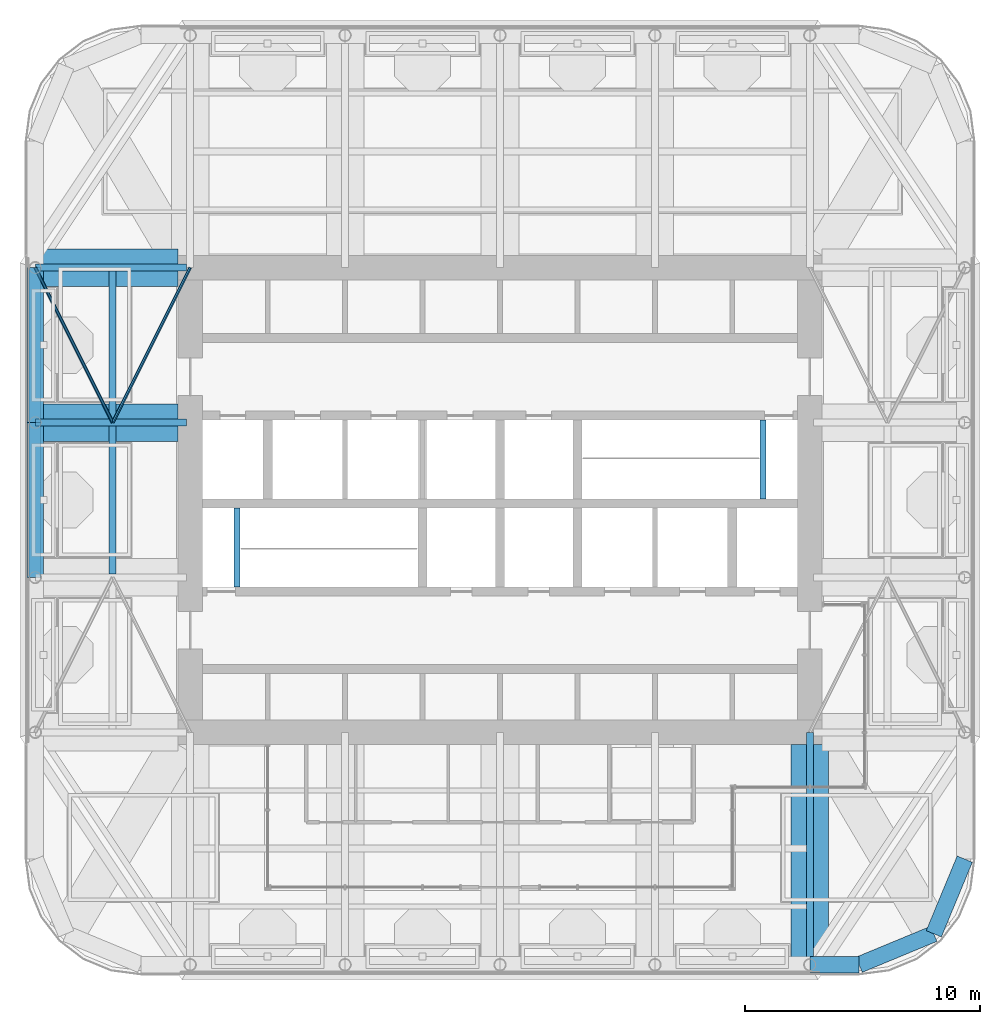
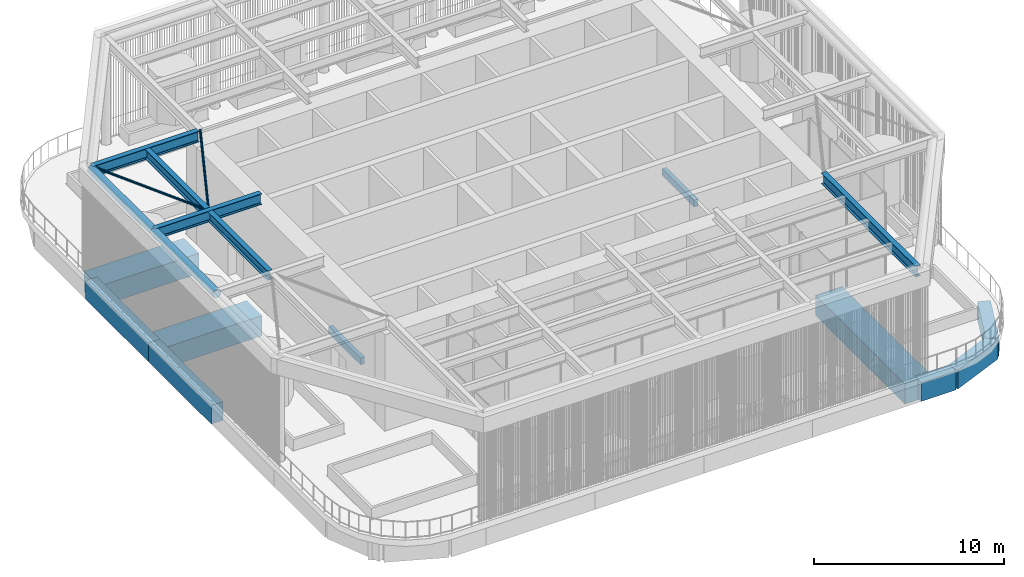
# One storey, part 3 of 22: 17 beams, 2 members.
"""IFC4 building model written with IfcOpenShell, lengths in metres."""

from ifc_helpers import new_model, si_unit, direction, frame, origin, origin_2d, place, context, subcontext, project, spatial, rectangle, hollow_circle, i_section, extrude, material, material_profile, profile_set, type_object, element, save


model = new_model("IFC4")

# Units and contexts
model_context = context("Model", 3, precision=1e-05, world=origin(), true_north=direction((0.0, 1.0)))
body_context = subcontext(model_context, "Body", "Model", "MODEL_VIEW")
ifc_project = project(units=[si_unit("LENGTHUNIT", "METRE"), si_unit("AREAUNIT", "SQUARE_METRE"), si_unit("VOLUMEUNIT", "CUBIC_METRE"), si_unit("PLANEANGLEUNIT", "RADIAN"), si_unit("MASSUNIT", "GRAM", prefix="KILO")], contexts=[model_context])

# Site, building, storey
site_placement = place(None, origin())
site = spatial("IfcSite", under=ifc_project, at=site_placement, CompositionType="ELEMENT")
building_placement = place(site_placement, origin())
building = spatial("IfcBuilding", under=site, at=building_placement, Name="Cobogo Forest Laboratory Tower", CompositionType="ELEMENT")
storey_placement = place(building_placement, frame((0.0, 0.0, 292.800048828125)))
storey = spatial("IfcBuildingStorey", under=building, at=storey_placement, Name="RF", CompositionType="ELEMENT", Elevation=292.800048828125)

# Beams
ifc_material_1 = material(Name="Steel S355", Category="steel")
ifc_material_profile_1 = material_profile(ifc_material_1, i_section(OverallWidth=0.300048828125, OverallDepth=0.699951171875, WebThickness=0.01708984375, FlangeThickness=0.031982421875, FilletRadius=0.027099609375, at=origin_2d()), Name="HEB 700")
ifc_profile_set_1 = profile_set([ifc_material_profile_1], Name="Steel S355")
beam_type_1 = type_object("IfcBeamType", Name="Crown frame girder HEB 700", PredefinedType="BEAM", material=ifc_profile_set_1)
beam_1_placement = place(storey_placement, frame((39.60009765625, 3.300048828125, 6.550048828125), z_axis=(0.0, 1.0, 0.0), x_axis=(-1.0, 0.0, 0.0)))
element("IfcBeam", 1, at=beam_1_placement, inside=storey, type_object=beam_type_1, Name="SG1 7-1", PredefinedType="BEAM", context=body_context, shape_type="SweptSolid", body=[
    extrude(i_section(OverallWidth=0.300048828125, OverallDepth=0.699951171875, WebThickness=0.01708984375, FlangeThickness=0.031982421875, FilletRadius=0.027099609375, at=origin_2d()), origin(), (0.0, 0.0, 1.0), 9.89990234375),
])
for number, where, z_axis, x_axis, name in (
    (2, (6.60009765625, 26.39990234375, 6.550048828125), (1.0, 0.0, 0.0), (0.0, 1.0, 0.0), "SG1 E-W"),
    (3, (6.60009765625, 33.0, 6.550048828125), (1.0, 0.0, 0.0), (0.0, 1.0, 0.0), "SG1 F-W"),
):
    element("IfcBeam", number, at=place(storey_placement, frame(where, z_axis=z_axis, x_axis=x_axis)), inside=storey, type_object=beam_type_1, Name=name, PredefinedType="BEAM", context=body_context, shape_type="SweptSolid", body=[
        extrude(i_section(OverallWidth=0.300048828125, OverallDepth=0.699951171875, WebThickness=0.01708984375, FlangeThickness=0.031982421875, FilletRadius=0.027099609375, at=origin_2d()), origin(), (0.0, 0.0, 1.0), 6.449951171875),
    ])

# Members
ifc_material_profile_2 = material_profile(ifc_material_1, hollow_circle(Radius=0.06982421875, WallThickness=0.00634765625, at=origin_2d()), Name="CHS 139.7x6.3")
ifc_profile_set_2 = profile_set([ifc_material_profile_2], Name="Steel S355")
member_type = type_object("IfcMemberType", Name="Crown frame plan brace CHS 139.7x6.3", PredefinedType="BRACE", material=ifc_profile_set_2)
member_1_placement = place(storey_placement, frame((6.60009765625, 33.0, 6.830078125), z_axis=(0.447187126696, -0.894440424912, 0.0), x_axis=(0.894440424912, 0.447187126696, 0.0)))
element("IfcMember", 4, at=member_1_placement, inside=storey, type_object=member_type, Name="SX1 canopy brace W2-1", PredefinedType="BRACE", context=body_context, shape_type="SweptSolid", body=[
    extrude(hollow_circle(Radius=0.06982421875, WallThickness=0.00634765625, at=origin_2d()), origin(), (0.0, 0.0, 1.0), 7.37890625),
])
member_2_placement = place(storey_placement, frame((13.199951171875, 33.0, 6.830078125), z_axis=(-0.4472135955, -0.894427191, 0.0), x_axis=(0.894427191, -0.4472135955, 0.0)))
element("IfcMember", 5, at=member_2_placement, inside=storey, type_object=member_type, Name="SX1 canopy brace W2-2", PredefinedType="BRACE", context=body_context, shape_type="SweptSolid", body=[
    extrude(hollow_circle(Radius=0.06982421875, WallThickness=0.00634765625, at=origin_2d()), origin(), (0.0, 0.0, 1.0), 7.379150390625),
])

# Beams
ifc_material_profile_3 = material_profile(ifc_material_1, i_section(OverallWidth=0.300048828125, OverallDepth=0.60009765625, WebThickness=0.015380859375, FlangeThickness=0.030029296875, FilletRadius=0.027099609375, at=origin_2d()), Name="HEB 600")
ifc_profile_set_3 = profile_set([ifc_material_profile_3], Name="Steel S355")
beam_type_2 = type_object("IfcBeamType", Name="Crown frame purlin HEB 600", PredefinedType="BEAM", material=ifc_profile_set_3)
for number, where, z_axis, x_axis, name in (
    (6, (9.89990234375, 19.949951171875, 6.599853515625), (0.0, 1.0, 0.0), (-1.0, 0.0, 0.0), "SP1 W2"),
    (7, (9.89990234375, 26.550048828125, 6.599853515625), (0.0, 1.0, 0.0), (-1.0, 0.0, 0.0), "SP1 W3"),
):
    element("IfcBeam", number, at=place(storey_placement, frame(where, z_axis=z_axis, x_axis=x_axis)), inside=storey, type_object=beam_type_2, Name=name, PredefinedType="BEAM", context=body_context, shape_type="SweptSolid", body=[
        extrude(i_section(OverallWidth=0.300048828125, OverallDepth=0.60009765625, WebThickness=0.015380859375, FlangeThickness=0.030029296875, FilletRadius=0.027099609375, at=origin_2d()), origin(), (0.0, 0.0, 1.0), 6.300048828125),
    ])
ifc_material_profile_4 = material_profile(ifc_material_1, hollow_circle(Radius=0.25390625, WallThickness=0.01611328125, at=origin_2d()), Name="CHS 508x16")
ifc_profile_set_4 = profile_set([ifc_material_profile_4], Name="Steel S355")
beam_type_3 = type_object("IfcBeamType", Name="Crown frame ring CHS 508x16", PredefinedType="BEAM", material=ifc_profile_set_4)
beam_2_placement = place(storey_placement, frame((6.60009765625, 19.800048828125, 6.64599609375), z_axis=(0.0, 1.0, 0.0), x_axis=(-1.0, 0.0, 0.0)))
element("IfcBeam", 8, at=beam_2_placement, inside=storey, type_object=beam_type_3, Name="SE1 W2", PredefinedType="BEAM", context=body_context, shape_type="SweptSolid", body=[
    extrude(hollow_circle(Radius=0.25390625, WallThickness=0.01611328125, at=origin_2d()), origin(), (0.0, 0.0, 1.0), 6.599853515625),
])
beam_3_placement = place(storey_placement, frame((6.60009765625, 26.39990234375, 6.64599609375), z_axis=(0.0, 1.0, 0.0), x_axis=(-1.0, 0.0, 0.0)))
element("IfcBeam", 9, at=beam_3_placement, inside=storey, type_object=beam_type_3, Name="SE1 W3", PredefinedType="BEAM", context=body_context, shape_type="SweptSolid", body=[
    extrude(hollow_circle(Radius=0.25390625, WallThickness=0.01611328125, at=origin_2d()), origin(), (0.0, 0.0, 1.0), 6.60009765625),
])
ifc_material_2 = material(Name="Concrete HA-40 (C40/50)", Category="concrete")
ifc_material_profile_5 = material_profile(ifc_material_2, rectangle(XDim=0.25, YDim=0.449951171875, at=origin_2d()), Name="RC 250x450")
ifc_profile_set_5 = profile_set([ifc_material_profile_5], Name="Concrete HA-40 (C40/50)")
beam_type_4 = type_object("IfcBeamType", Name="LB1 landing beam 250x450", PredefinedType="BEAM", material=ifc_profile_set_5)
for number, where, z_axis, x_axis, name in (
    (10, (15.199951171875, 19.39990234375, -0.425048828125), (0.0, 1.0, 0.0), (-1.0, 0.0, 0.0), "Landing beam ST1 RF"),
    (11, (37.60009765625, 23.14990234375, -0.425048828125), (0.0, 1.0, 0.0), (-1.0, 0.0, 0.0), "Landing beam ST2 RF"),
):
    element("IfcBeam", number, at=place(storey_placement, frame(where, z_axis=z_axis, x_axis=x_axis)), inside=storey, type_object=beam_type_4, Name=name, PredefinedType="BEAM", context=body_context, shape_type="SweptSolid", body=[
        extrude(rectangle(XDim=0.25, YDim=0.449951171875, at=origin_2d()), origin(), (0.0, 0.0, 1.0), 3.35009765625),
    ])
ifc_material_profile_6 = material_profile(ifc_material_2, rectangle(XDim=0.699951171875, YDim=1.199951171875, at=origin_2d()), Name="RC 700x1200")
ifc_profile_set_6 = profile_set([ifc_material_profile_6], Name="Concrete HA-40 (C40/50)")
beam_type_5 = type_object("IfcBeamType", Name="Perimeter edge beam 700x1200", PredefinedType="BEAM", material=ifc_profile_set_6)
beam_4_placement = place(storey_placement, frame((6.60009765625, 19.800048828125, -1.0), z_axis=(0.0, 1.0, 0.0), x_axis=(-1.0, 0.0, 0.0)))
element("IfcBeam", 12, at=beam_4_placement, inside=storey, type_object=beam_type_5, Name="EB1 E-W2 RF", PredefinedType="BEAM", context=body_context, shape_type="SweptSolid", body=[
    extrude(rectangle(XDim=0.699951171875, YDim=1.199951171875, at=origin_2d()), origin(), (0.0, 0.0, 1.0), 6.599853515625),
])
beam_5_placement = place(storey_placement, frame((6.60009765625, 26.39990234375, -1.0), z_axis=(0.0, 1.0, 0.0), x_axis=(-1.0, 0.0, 0.0)))
element("IfcBeam", 13, at=beam_5_placement, inside=storey, type_object=beam_type_5, Name="EB1 E-W3 RF", PredefinedType="BEAM", context=body_context, shape_type="SweptSolid", body=[
    extrude(rectangle(XDim=0.699951171875, YDim=1.199951171875, at=origin_2d()), origin(), (0.0, 0.0, 1.0), 6.60009765625),
])
beam_6_placement = place(storey_placement, frame((39.60009765625, 3.300048828125, -1.0), z_axis=(1.0, 0.0, 0.0), x_axis=(0.0, 1.0, 0.0)))
element("IfcBeam", 14, at=beam_6_placement, inside=storey, type_object=beam_type_5, Name="EB1 E-SES1 RF", PredefinedType="BEAM", context=body_context, shape_type="SweptSolid", body=[
    extrude(rectangle(XDim=0.699951171875, YDim=1.199951171875, at=origin_2d()), origin(), (0.0, 0.0, 1.0), 2.099853515625),
])
for number, where, z_axis, x_axis, name in (
    (15, (41.699951171875, 3.300048828125, -1.0), (0.923901072997, 0.382631424892, 0.0), (-0.382631424892, 0.923901072997, 0.0), "EB1 E-SES2 RF"),
    (16, (46.199951171875, 7.800048828125, -1.0), (-0.382631424892, -0.923901072997, 0.0), (0.923901072997, -0.382631424892, 0.0), "EB1 E-SEE2 RF"),
):
    element("IfcBeam", number, at=place(storey_placement, frame(where, z_axis=z_axis, x_axis=x_axis)), inside=storey, type_object=beam_type_5, Name=name, PredefinedType="BEAM", context=body_context, shape_type="SweptSolid", body=[
        extrude(rectangle(XDim=0.699951171875, YDim=1.199951171875, at=origin_2d()), origin(), (0.0, 0.0, 1.0), 3.4443359375),
    ])
ifc_material_profile_7 = material_profile(ifc_material_2, rectangle(XDim=1.60009765625, YDim=1.300048828125, at=origin_2d()), Name="RC 1600x1300")
ifc_profile_set_7 = profile_set([ifc_material_profile_7], Name="Concrete HA-40 (C40/50)")
beam_type_6 = type_object("IfcBeamType", Name="Plant and roof garden wide beam 1600x1300", PredefinedType="BEAM", material=ifc_profile_set_7)
beam_7_placement = place(storey_placement, frame((39.60009765625, 12.675048828125, -1.050048828125), z_axis=(0.0, -1.0, 0.0), x_axis=(1.0, 0.0, 0.0)))
element("IfcBeam", 17, at=beam_7_placement, inside=storey, type_object=beam_type_6, Name="RB4 R-7-S RF", PredefinedType="BEAM", context=body_context, shape_type="SweptSolid", body=[
    extrude(rectangle(XDim=1.60009765625, YDim=1.300048828125, at=origin_2d()), origin(), (0.0, 0.0, 1.0), 9.375),
])
for number, where, z_axis, x_axis, name in (
    (18, (12.675048828125, 26.39990234375, -1.050048828125), (-1.0, 0.0, 0.0), (0.0, -1.0, 0.0), "RB4 R-E-W RF"),
    (19, (12.675048828125, 33.0, -1.050048828125), (-1.0, 0.0, 0.0), (0.0, -1.0, 0.0), "RB4 R-F-W RF"),
):
    element("IfcBeam", number, at=place(storey_placement, frame(where, z_axis=z_axis, x_axis=x_axis)), inside=storey, type_object=beam_type_6, Name=name, PredefinedType="BEAM", context=body_context, shape_type="SweptSolid", body=[
        extrude(rectangle(XDim=1.60009765625, YDim=1.300048828125, at=origin_2d()), origin(), (0.0, 0.0, 1.0), 6.074951171875),
    ])

save(model, "model.ifc")
